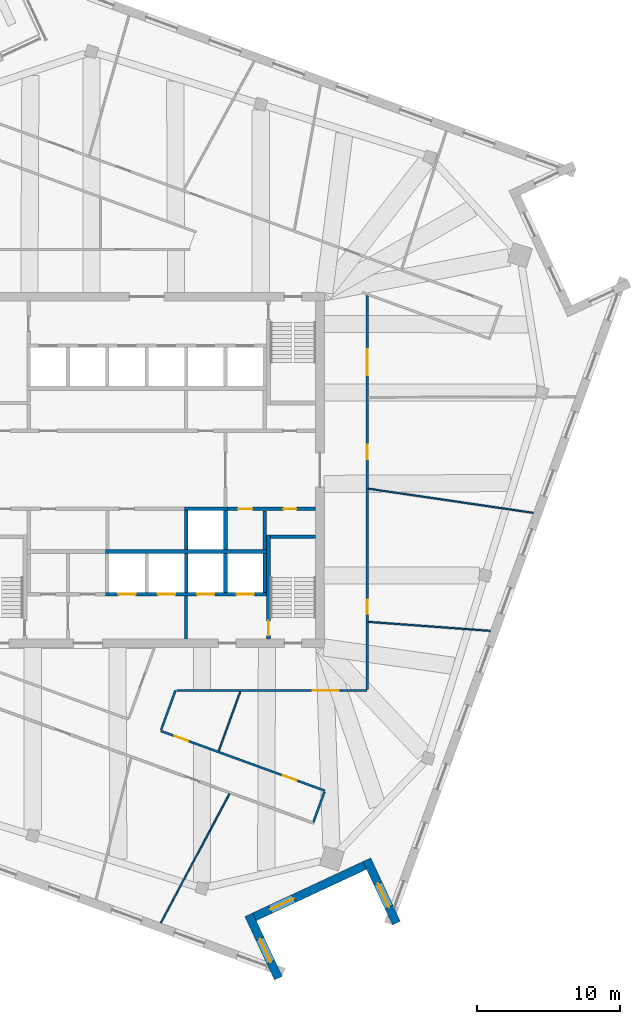
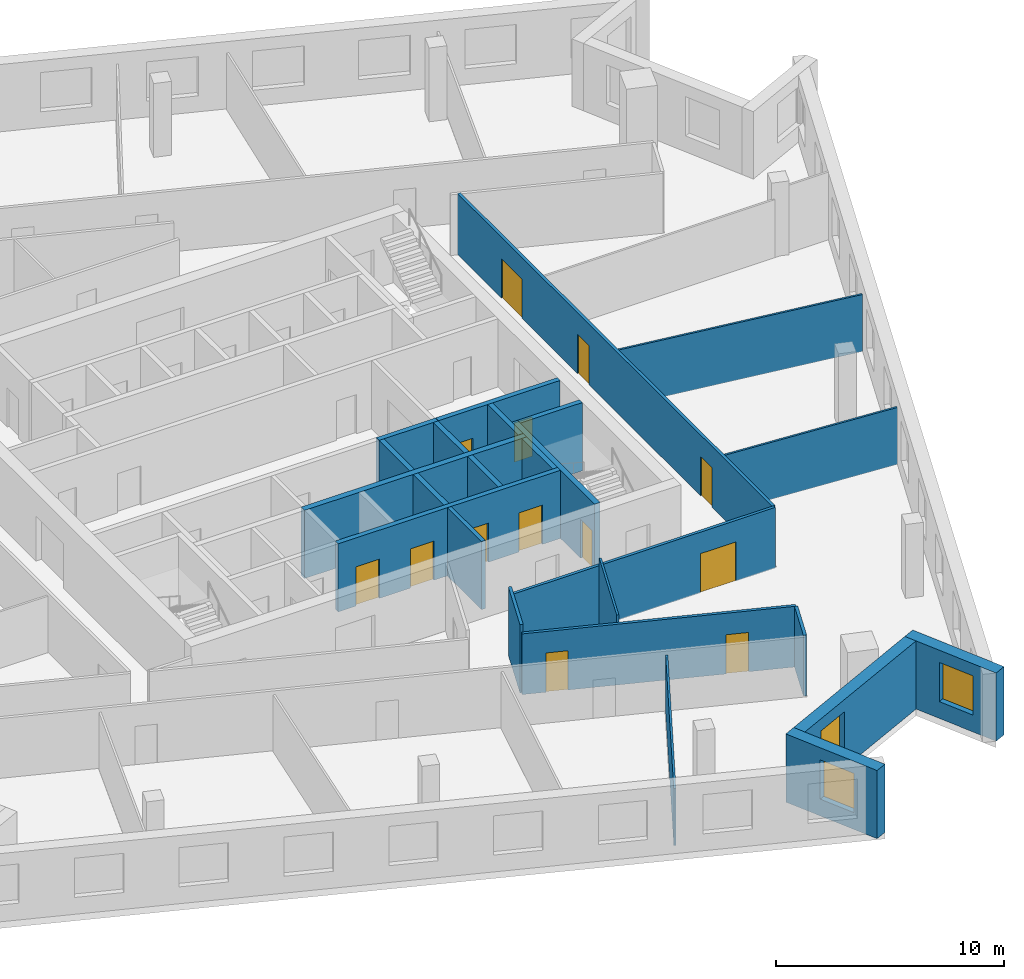
# One storey, part 7 of 13: 25 walls, 13 doors, 3 windows, 16 openings.
"""IFC4 building model written with IfcOpenShell, lengths in metres."""

from ifc_helpers import new_model, si_unit, direction, frame, frame_2d, origin, place, context, subcontext, project, spatial, rectangle, extrude, material, layer, layer_set, type_object, element, fill, save


model = new_model("IFC4")

# Units and contexts
model_context = context("Model", 3, precision=1e-05, world=origin(), true_north=direction((0.0, 1.0)))
body_context = subcontext(model_context, "Body", "Model", "MODEL_VIEW")
ifc_project = project(units=[si_unit("LENGTHUNIT", "METRE"), si_unit("AREAUNIT", "SQUARE_METRE"), si_unit("VOLUMEUNIT", "CUBIC_METRE"), si_unit("PLANEANGLEUNIT", "RADIAN"), si_unit("MASSUNIT", "GRAM", prefix="KILO")], contexts=[model_context])

# Site, building, storey
site_placement = place(None, origin())
site = spatial("IfcSite", under=ifc_project, at=site_placement, CompositionType="ELEMENT")
building_placement = place(site_placement, origin())
building = spatial("IfcBuilding", under=site, at=building_placement, Name="Dilmun Exchange Tower", CompositionType="ELEMENT")
storey_placement = place(building_placement, frame((0.0, 0.0, 312.5)))
storey = spatial("IfcBuildingStorey", under=building, at=storey_placement, Name="L74", CompositionType="ELEMENT", Elevation=312.5)

# Walls
ifc_material_1 = material(Name="Concrete C40/50", Category="concrete")
ifc_layer_1 = layer(ifc_material_1, 0.199951171875)
ifc_layer_set_1 = layer_set([ifc_layer_1], Name="Concrete C40/50")
wall_type_1 = type_object("IfcWallType", Name="Core partition wall 200", PredefinedType="PARTITIONING", material=ifc_layer_set_1)
wall_1_placement = place(storey_placement, frame((2.75, -11.794921875, 0.0), z_axis=(0.0, 0.0, 1.0), x_axis=(0.0, 1.0, 0.0)))
element("IfcWall", 1, at=wall_1_placement, inside=storey, type_object=wall_type_1, Name="L74 core partition wall 02", PredefinedType="PARTITIONING", context=body_context, shape_type="SweptSolid", body=[
    extrude(rectangle(XDim=2.989990234375, YDim=0.199951171875, at=frame_2d((1.4951171875, 0.0))), origin(), (0.0, 0.0, 1.0), 3.64990234375),
])
ifc_layer_2 = layer(ifc_material_1, 0.25)
ifc_layer_set_2 = layer_set([ifc_layer_2], Name="Concrete C40/50")
wall_type_2 = type_object("IfcWallType", Name="Core partition wall 250", PredefinedType="PARTITIONING", material=ifc_layer_set_2)
wall_2_placement = place(storey_placement, frame((8.25, -5.544921875, 0.0), z_axis=(0.0, 0.0, 1.0), x_axis=(0.0, 1.0, 0.0)))
element("IfcWall", 2, at=wall_2_placement, inside=storey, type_object=wall_type_2, Name="L74 core partition wall 09", PredefinedType="PARTITIONING", context=body_context, shape_type="SweptSolid", body=[
    extrude(rectangle(XDim=2.68994140625, YDim=0.25, at=frame_2d((1.344970703125, 0.0))), origin(), (0.0, 0.0, 1.0), 3.64990234375),
])

# Wall, openings, doors
wall_3_placement = place(storey_placement, frame((5.6298828125, -2.72509765625, 0.0), z_axis=(0.0, 0.0, 1.0), x_axis=(1.0, 0.0, 0.0)))
wall_3 = element("IfcWall", 3, at=wall_3_placement, inside=storey, type_object=wall_type_2, Name="L74 core partition wall 11", PredefinedType="PARTITIONING", context=body_context, shape_type="SweptSolid", body=[
    extrude(rectangle(XDim=6.1650390625, YDim=0.25, at=frame_2d((3.08251953125, 0.0))), origin(), (0.0, 0.0, 1.0), 3.64990234375),
])
opening_1_placement = place(wall_3_placement, frame((0.7451171875, 0.0, 0.0)))
opening_1 = element("IfcOpeningElement", 4, at=opening_1_placement, cuts=wall_3, Name="Opening CD4", PredefinedType="OPENING", context=body_context, shape_type="SweptSolid", body=[
    extrude(rectangle(XDim=1.0, YDim=2.10009765625, at=frame_2d((0.5, 1.050048828125))), frame((0.0, 0.135009765625, 0.0), z_axis=(0.0, -1.0, 0.0), x_axis=(1.0, 0.0, 0.0)), (0.0, 0.0, 1.0), 0.27001953125),
])
opening_2_placement = place(wall_3_placement, frame((3.919921875, 0.0, 0.0)))
opening_2 = element("IfcOpeningElement", 5, at=opening_2_placement, cuts=wall_3, Name="Opening CD6", PredefinedType="OPENING", context=body_context, shape_type="SweptSolid", body=[
    extrude(rectangle(XDim=0.89990234375, YDim=2.10009765625, at=frame_2d((0.449951171875, 1.050048828125))), frame((0.0, 0.135009765625, 0.0), z_axis=(0.0, -1.0, 0.0), x_axis=(1.0, 0.0, 0.0)), (0.0, 0.0, 1.0), 0.27001953125),
])
ifc_material_2 = material(Name="Fire-rated steel door set", Category="steel")
door_type_1 = type_object("IfcDoorType", Name="Core room door 1000x2100", OperationType="SINGLE_SWING_LEFT", PredefinedType="DOOR", material=ifc_material_2)
door_1_placement = place(opening_1_placement, origin())
door_1 = element("IfcDoor", 6, at=door_1_placement, inside=storey, type_object=door_type_1, Name="L74 door Cleaners' store", OperationType="SINGLE_SWING_LEFT", OverallHeight=2.10009765625, OverallWidth=1.0, PredefinedType="DOOR", context=body_context, shape_type="SweptSolid", body=[
    extrude(rectangle(XDim=1.0, YDim=2.10009765625, at=frame_2d((0.5, 1.050048828125))), frame((0.0, 0.02490234375, 0.0), z_axis=(0.0, -1.0, 0.0), x_axis=(1.0, 0.0, 0.0)), (0.0, 0.0, 1.0), 0.050048828125),
])
fill(opening_1, door_1)
door_type_2 = type_object("IfcDoorType", Name="Core room door 900x2100", OperationType="SINGLE_SWING_LEFT", PredefinedType="DOOR", material=ifc_material_2)
door_2_placement = place(opening_2_placement, origin())
door_2 = element("IfcDoor", 7, at=door_2_placement, inside=storey, type_object=door_type_2, Name="L74 door Comms riser", OperationType="SINGLE_SWING_LEFT", OverallHeight=2.10009765625, OverallWidth=0.89990234375, PredefinedType="DOOR", context=body_context, shape_type="SweptSolid", body=[
    extrude(rectangle(XDim=0.89990234375, YDim=2.10009765625, at=frame_2d((0.449951171875, 1.050048828125))), frame((0.0, 0.02490234375, 0.0), z_axis=(0.0, -1.0, 0.0), x_axis=(1.0, 0.0, 0.0)), (0.0, 0.0, 1.0), 0.050048828125),
])
fill(opening_2, door_2)

ifc_material_3 = material(Name="Corridor wall 150")
ifc_layer_3 = layer(ifc_material_3, 0.14990234375)
ifc_layer_set_3 = layer_set([ifc_layer_3], Name="Corridor wall 150")
wall_type_3 = type_object("IfcWallType", Name="Corridor wall 150", PredefinedType="PARTITIONING", material=ifc_layer_set_3)
wall_4_placement = place(storey_placement, frame((0.97802734375, -18.22998046875, 0.0), z_axis=(0.0, 0.0, 1.0), x_axis=(0.939684094149, -0.34204356916, 0.0)))
wall_4 = element("IfcWall", 8, at=wall_4_placement, inside=storey, type_object=wall_type_3, Name="Corridor wall", PredefinedType="PARTITIONING", context=body_context, shape_type="SweptSolid", body=[
    extrude(rectangle(XDim=12.197509765625, YDim=0.14990234375, at=frame_2d((6.0986328125, 0.0))), origin(), (0.0, 0.0, 1.0), 3.25),
])
opening_3_placement = place(wall_4_placement, frame((1.05029296875, 0.0, 0.0)))
opening_3 = element("IfcOpeningElement", 9, at=opening_3_placement, cuts=wall_4, Name="Opening TF72-D13", PredefinedType="OPENING", context=body_context, shape_type="SweptSolid", body=[
    extrude(rectangle(XDim=1.0, YDim=2.10009765625, at=frame_2d((0.5, 1.050048828125))), frame((0.0, 0.0849609375, 0.0), z_axis=(0.0, -1.0, 0.0), x_axis=(1.0, 0.0, 0.0)), (0.0, 0.0, 1.0), 0.169921875),
])
opening_4_placement = place(wall_4_placement, frame((9.08251953125, 0.0, 0.0)))
opening_4 = element("IfcOpeningElement", 10, at=opening_4_placement, cuts=wall_4, Name="Opening TF72-D16", PredefinedType="OPENING", context=body_context, shape_type="SweptSolid", body=[
    extrude(rectangle(XDim=1.0, YDim=2.10009765625, at=frame_2d((0.5, 1.050048828125))), frame((0.0, 0.0849609375, 0.0), z_axis=(0.0, -1.0, 0.0), x_axis=(1.0, 0.0, 0.0)), (0.0, 0.0, 1.0), 0.169921875),
])
ifc_material_4 = material(Name="Fire door 1000 x 2100")
door_type_3 = type_object("IfcDoorType", Name="Fire door 1000 x 2100", OperationType="NOTDEFINED", PredefinedType="DOOR", material=ifc_material_4)
door_3_placement = place(opening_3_placement, origin())
door_3 = element("IfcDoor", 11, at=door_3_placement, inside=storey, type_object=door_type_3, Name="Door TF72-D13", OperationType="SINGLE_SWING_LEFT", OverallHeight=2.10009765625, OverallWidth=1.0, PredefinedType="DOOR", context=body_context, shape_type="SweptSolid", body=[
    extrude(rectangle(XDim=1.0, YDim=2.10009765625, at=frame_2d((0.5, 1.050048828125))), frame((0.0, 0.02490234375, 0.0), z_axis=(0.0, -1.0, 0.0), x_axis=(1.0, 0.0, 0.0)), (0.0, 0.0, 1.0), 0.050048828125),
])
fill(opening_3, door_3)
door_4_placement = place(opening_4_placement, origin())
door_4 = element("IfcDoor", 12, at=door_4_placement, inside=storey, type_object=door_type_3, Name="Door TF72-D16", OperationType="SINGLE_SWING_RIGHT", OverallHeight=2.10009765625, OverallWidth=1.0, PredefinedType="DOOR", context=body_context, shape_type="SweptSolid", body=[
    extrude(rectangle(XDim=1.0, YDim=2.10009765625, at=frame_2d((0.5, 1.050048828125))), frame((0.0, 0.02490234375, 0.0), z_axis=(0.0, -1.0, 0.0), x_axis=(1.0, 0.0, 0.0)), (0.0, 0.0, 1.0), 0.050048828125),
])
fill(opening_4, door_4)

# Wall
wall_5_placement = place(storey_placement, frame((1.003662109375, -18.159423828125, 0.0), z_axis=(0.0, 0.0, 1.0), x_axis=(0.342023405877, 0.939691433308, 0.0)))
element("IfcWall", 13, at=wall_5_placement, inside=storey, type_object=wall_type_3, Name="Corridor wall", PredefinedType="PARTITIONING", context=body_context, shape_type="SweptSolid", body=[
    extrude(rectangle(XDim=2.9365234375, YDim=0.14990234375, at=frame_2d((1.46826171875, 0.0))), origin(), (0.0, 0.0, 1.0), 3.64990234375),
])

# Wall, opening, door
wall_6_placement = place(storey_placement, frame((2.114990234375, -15.39990234375, 0.0), z_axis=(0.0, 0.0, 1.0), x_axis=(1.0, 0.0, 0.0)))
wall_6 = element("IfcWall", 14, at=wall_6_placement, inside=storey, type_object=wall_type_3, Name="Corridor wall", PredefinedType="PARTITIONING", context=body_context, shape_type="SweptSolid", body=[
    extrude(rectangle(XDim=13.284912109375, YDim=0.14990234375, at=frame_2d((6.642578125, 0.0))), origin(), (0.0, 0.0, 1.0), 3.25),
])
opening_5_placement = place(wall_6_placement, frame((9.485595703125, 0.0, 0.0)))
opening_5 = element("IfcOpeningElement", 15, at=opening_5_placement, cuts=wall_6, Name="Opening TF72-D15", PredefinedType="OPENING", context=body_context, shape_type="SweptSolid", body=[
    extrude(rectangle(XDim=1.800048828125, YDim=2.10009765625, at=frame_2d((0.89990234375, 1.050048828125))), frame((0.0, 0.0849609375, 0.0), z_axis=(0.0, -1.0, 0.0), x_axis=(1.0, 0.0, 0.0)), (0.0, 0.0, 1.0), 0.169921875),
])
ifc_material_5 = material(Name="Fire door pair 1800 x 2100")
door_type_4 = type_object("IfcDoorType", Name="Fire door pair 1800 x 2100", OperationType="NOTDEFINED", PredefinedType="DOOR", material=ifc_material_5)
door_5_placement = place(opening_5_placement, frame((1.800048828125, 0.0, 0.0), z_axis=(0.0, 0.0, 1.0), x_axis=(-1.0, 0.0, 0.0)))
door_5 = element("IfcDoor", 16, at=door_5_placement, inside=storey, type_object=door_type_4, Name="Door TF72-D15", OperationType="DOUBLE_DOOR_SINGLE_SWING", OverallHeight=2.10009765625, OverallWidth=1.800048828125, PredefinedType="DOOR", context=body_context, shape_type="SweptSolid", body=[
    extrude(rectangle(XDim=1.800048828125, YDim=2.10009765625, at=frame_2d((0.89990234375, 1.050048828125))), frame((0.0, 0.02490234375, 0.0), z_axis=(0.0, -1.0, 0.0), x_axis=(1.0, 0.0, 0.0)), (0.0, 0.0, 1.0), 0.050048828125),
])
fill(opening_5, door_5)

# Wall
wall_7_placement = place(storey_placement, frame((11.644775390625, -24.58642578125, 0.0), z_axis=(0.0, 0.0, 1.0), x_axis=(0.342056723843, 0.93967930576, 0.0)))
element("IfcWall", 17, at=wall_7_placement, inside=storey, type_object=wall_type_3, Name="Corridor wall", PredefinedType="PARTITIONING", context=body_context, shape_type="SweptSolid", body=[
    extrude(rectangle(XDim=2.249755859375, YDim=0.14990234375, at=frame_2d((1.125, 0.0))), origin(), (0.0, 0.0, 1.0), 3.25),
])

# Wall, openings, doors
wall_8_placement = place(storey_placement, frame((15.39990234375, -15.324951171875, 0.0), z_axis=(0.0, 0.0, 1.0), x_axis=(0.0, 1.0, 0.0)))
wall_8 = element("IfcWall", 18, at=wall_8_placement, inside=storey, type_object=wall_type_3, Name="Corridor wall", PredefinedType="PARTITIONING", context=body_context, shape_type="SweptSolid", body=[
    extrude(rectangle(XDim=27.593017578125, YDim=0.14990234375, at=frame_2d((13.79638671875, 0.0))), origin(), (0.0, 0.0, 1.0), 3.25),
])
opening_6_placement = place(wall_8_placement, frame((5.266845703125, 0.0, 0.0)))
opening_6 = element("IfcOpeningElement", 19, at=opening_6_placement, cuts=wall_8, Name="Opening TF72-D18", PredefinedType="OPENING", context=body_context, shape_type="SweptSolid", body=[
    extrude(rectangle(XDim=1.0, YDim=2.10009765625, at=frame_2d((0.5, 1.050048828125))), frame((0.0, 0.0849609375, 0.0), z_axis=(0.0, -1.0, 0.0), x_axis=(1.0, 0.0, 0.0)), (0.0, 0.0, 1.0), 0.169921875),
])
opening_7_placement = place(wall_8_placement, frame((16.072021484375, 0.0, 0.0)))
opening_7 = element("IfcOpeningElement", 20, at=opening_7_placement, cuts=wall_8, Name="Opening TF72-D19", PredefinedType="OPENING", context=body_context, shape_type="SweptSolid", body=[
    extrude(rectangle(XDim=1.0, YDim=2.10009765625, at=frame_2d((0.5, 1.050048828125))), frame((0.0, 0.0849609375, 0.0), z_axis=(0.0, -1.0, 0.0), x_axis=(1.0, 0.0, 0.0)), (0.0, 0.0, 1.0), 0.169921875),
])
opening_8_placement = place(wall_8_placement, frame((21.94384765625, 0.0, 0.0)))
opening_8 = element("IfcOpeningElement", 21, at=opening_8_placement, cuts=wall_8, Name="Opening TF72-D20", PredefinedType="OPENING", context=body_context, shape_type="SweptSolid", body=[
    extrude(rectangle(XDim=1.800048828125, YDim=2.10009765625, at=frame_2d((0.89990234375, 1.050048828125))), frame((0.0, 0.0849609375, 0.0), z_axis=(0.0, -1.0, 0.0), x_axis=(1.0, 0.0, 0.0)), (0.0, 0.0, 1.0), 0.169921875),
])
door_6_placement = place(opening_6_placement, frame((1.0, 0.0, 0.0), z_axis=(0.0, 0.0, 1.0), x_axis=(-1.0, 0.0, 0.0)))
door_6 = element("IfcDoor", 22, at=door_6_placement, inside=storey, type_object=door_type_3, Name="Door TF72-D18", OperationType="SINGLE_SWING_RIGHT", OverallHeight=2.10009765625, OverallWidth=1.0, PredefinedType="DOOR", context=body_context, shape_type="SweptSolid", body=[
    extrude(rectangle(XDim=1.0, YDim=2.10009765625, at=frame_2d((0.5, 1.050048828125))), frame((0.0, 0.02490234375, 0.0), z_axis=(0.0, -1.0, 0.0), x_axis=(1.0, 0.0, 0.0)), (0.0, 0.0, 1.0), 0.050048828125),
])
fill(opening_6, door_6)
door_7_placement = place(opening_7_placement, frame((1.0, 0.0, 0.0), z_axis=(0.0, 0.0, 1.0), x_axis=(-1.0, 0.0, 0.0)))
door_7 = element("IfcDoor", 23, at=door_7_placement, inside=storey, type_object=door_type_3, Name="Door TF72-D19", OperationType="SINGLE_SWING_RIGHT", OverallHeight=2.10009765625, OverallWidth=1.0, PredefinedType="DOOR", context=body_context, shape_type="SweptSolid", body=[
    extrude(rectangle(XDim=1.0, YDim=2.10009765625, at=frame_2d((0.5, 1.050048828125))), frame((0.0, 0.02490234375, 0.0), z_axis=(0.0, -1.0, 0.0), x_axis=(1.0, 0.0, 0.0)), (0.0, 0.0, 1.0), 0.050048828125),
])
fill(opening_7, door_7)
door_8_placement = place(opening_8_placement, frame((1.800048828125, 0.0, 0.0), z_axis=(0.0, 0.0, 1.0), x_axis=(-1.0, 0.0, 0.0)))
door_8 = element("IfcDoor", 24, at=door_8_placement, inside=storey, type_object=door_type_4, Name="Door TF72-D20", OperationType="DOUBLE_DOOR_SINGLE_SWING", OverallHeight=2.10009765625, OverallWidth=1.800048828125, PredefinedType="DOOR", context=body_context, shape_type="SweptSolid", body=[
    extrude(rectangle(XDim=1.800048828125, YDim=2.10009765625, at=frame_2d((0.89990234375, 1.050048828125))), frame((0.0, 0.02490234375, 0.0), z_axis=(0.0, -1.0, 0.0), x_axis=(1.0, 0.0, 0.0)), (0.0, 0.0, 1.0), 0.050048828125),
])
fill(opening_8, door_8)

# Walls
ifc_layer_4 = layer(ifc_material_1, 0.300048828125)
ifc_layer_set_4 = layer_set([ifc_layer_4], Name="Concrete C40/50")
wall_type_4 = type_object("IfcWallType", Name="Lift shaft shared wall 300", PredefinedType="SOLIDWALL", material=ifc_layer_set_4)
wall_9_placement = place(storey_placement, frame((-2.875, -5.699951171875, 0.0), z_axis=(0.0, 0.0, 1.0), x_axis=(1.0, 0.0, 0.0)))
element("IfcWall", 25, at=wall_9_placement, inside=storey, type_object=wall_type_4, Name="L74 lift shaft rear wall S", PredefinedType="SOLIDWALL", context=body_context, shape_type="SweptSolid", body=[
    extrude(rectangle(XDim=11.25, YDim=0.300048828125, at=frame_2d((5.625, 0.0))), origin(), (0.0, 0.0, 1.0), 3.64990234375),
])
ifc_layer_5 = layer(ifc_material_1, 0.25)
ifc_layer_set_5 = layer_set([ifc_layer_5], Name="Concrete C40/50")
wall_type_5 = type_object("IfcWallType", Name="Lift shaft wall 250", PredefinedType="SOLIDWALL", material=ifc_layer_set_5)
wall_10_placement = place(storey_placement, frame((2.625, -2.72509765625, 0.0), z_axis=(0.0, 0.0, 1.0), x_axis=(1.0, 0.0, 0.0)))
element("IfcWall", 26, at=wall_10_placement, inside=storey, type_object=wall_type_5, Name="L74 lift shaft front wall S1", PredefinedType="SOLIDWALL", context=body_context, shape_type="SweptSolid", body=[
    extrude(rectangle(XDim=3.0, YDim=0.25, at=frame_2d((1.5, 0.0))), origin(), (0.0, 0.0, 1.0), 3.64990234375),
])
for number, where, z_axis, x_axis, name in (
    (27, (2.75, -5.550048828125, 0.0), (0.0, 0.0, 1.0), (0.0, 1.0, 0.0), "L74 lift shaft divider S14"),
    (28, (5.5, -5.550048828125, 0.0), (0.0, 0.0, 1.0), (0.0, 1.0, 0.0), "L74 lift shaft divider S15"),
):
    element("IfcWall", number, at=place(storey_placement, frame(where, z_axis=z_axis, x_axis=x_axis)), inside=storey, type_object=wall_type_5, Name=name, PredefinedType="SOLIDWALL", context=body_context, shape_type="SweptSolid", body=[
        extrude(rectangle(XDim=2.699951171875, YDim=0.25, at=frame_2d((1.35009765625, 0.0))), origin(), (0.0, 0.0, 1.0), 3.64990234375),
    ])

# Wall, openings, doors
wall_11_placement = place(storey_placement, frame((-2.875, -8.675048828125, 0.0), z_axis=(0.0, 0.0, 1.0), x_axis=(1.0, 0.0, 0.0)))
wall_11 = element("IfcWall", 29, at=wall_11_placement, inside=storey, type_object=wall_type_5, Name="L74 lift shaft front wall S2", PredefinedType="SOLIDWALL", context=body_context, shape_type="SweptSolid", body=[
    extrude(rectangle(XDim=11.25, YDim=0.25, at=frame_2d((5.625, 0.0))), origin(), (0.0, 0.0, 1.0), 3.64990234375),
])
opening_9_placement = place(wall_11_placement, frame((0.89990234375, 0.0, 0.0)))
opening_9 = element("IfcOpeningElement", 30, at=opening_9_placement, cuts=wall_11, Name="Opening LD", PredefinedType="OPENING", context=body_context, shape_type="SweptSolid", body=[
    extrude(rectangle(XDim=1.199951171875, YDim=2.10009765625, at=frame_2d((0.60009765625, 1.050048828125))), frame((0.0, 0.135009765625, 0.0), z_axis=(0.0, -1.0, 0.0), x_axis=(1.0, 0.0, 0.0)), (0.0, 0.0, 1.0), 0.27001953125),
])
opening_10_placement = place(wall_11_placement, frame((3.64990234375, 0.0, 0.0)))
opening_10 = element("IfcOpeningElement", 31, at=opening_10_placement, cuts=wall_11, Name="Opening LD", PredefinedType="OPENING", context=body_context, shape_type="SweptSolid", body=[
    extrude(rectangle(XDim=1.199951171875, YDim=2.10009765625, at=frame_2d((0.60009765625, 1.050048828125))), frame((0.0, 0.135009765625, 0.0), z_axis=(0.0, -1.0, 0.0), x_axis=(1.0, 0.0, 0.0)), (0.0, 0.0, 1.0), 0.27001953125),
])
opening_11_placement = place(wall_11_placement, frame((6.39990234375, 0.0, 0.0)))
opening_11 = element("IfcOpeningElement", 32, at=opening_11_placement, cuts=wall_11, Name="Opening LD", PredefinedType="OPENING", context=body_context, shape_type="SweptSolid", body=[
    extrude(rectangle(XDim=1.199951171875, YDim=2.10009765625, at=frame_2d((0.60009765625, 1.050048828125))), frame((0.0, 0.135009765625, 0.0), z_axis=(0.0, -1.0, 0.0), x_axis=(1.0, 0.0, 0.0)), (0.0, 0.0, 1.0), 0.27001953125),
])
opening_12_placement = place(wall_11_placement, frame((9.14990234375, 0.0, 0.0)))
opening_12 = element("IfcOpeningElement", 33, at=opening_12_placement, cuts=wall_11, Name="Opening LD", PredefinedType="OPENING", context=body_context, shape_type="SweptSolid", body=[
    extrude(rectangle(XDim=1.199951171875, YDim=2.10009765625, at=frame_2d((0.60009765625, 1.050048828125))), frame((0.0, 0.135009765625, 0.0), z_axis=(0.0, -1.0, 0.0), x_axis=(1.0, 0.0, 0.0)), (0.0, 0.0, 1.0), 0.27001953125),
])
door_type_5 = type_object("IfcDoorType", Name="Lift landing door 1200x2100", OperationType="DOUBLE_DOOR_SLIDING", PredefinedType="DOOR", material=ifc_material_2)
door_9_placement = place(opening_9_placement, origin())
door_9 = element("IfcDoor", 34, at=door_9_placement, inside=storey, type_object=door_type_5, Name="L74 landing door SV1", OperationType="DOUBLE_DOOR_SLIDING", OverallHeight=2.10009765625, OverallWidth=1.199951171875, PredefinedType="DOOR", context=body_context, shape_type="SweptSolid", body=[
    extrude(rectangle(XDim=1.199951171875, YDim=2.10009765625, at=frame_2d((0.60009765625, 1.050048828125))), frame((0.0, 0.02490234375, 0.0), z_axis=(0.0, -1.0, 0.0), x_axis=(1.0, 0.0, 0.0)), (0.0, 0.0, 1.0), 0.050048828125),
])
fill(opening_9, door_9)
door_10_placement = place(opening_10_placement, origin())
door_10 = element("IfcDoor", 35, at=door_10_placement, inside=storey, type_object=door_type_5, Name="L74 landing door SV2", OperationType="DOUBLE_DOOR_SLIDING", OverallHeight=2.10009765625, OverallWidth=1.199951171875, PredefinedType="DOOR", context=body_context, shape_type="SweptSolid", body=[
    extrude(rectangle(XDim=1.199951171875, YDim=2.10009765625, at=frame_2d((0.60009765625, 1.050048828125))), frame((0.0, 0.02490234375, 0.0), z_axis=(0.0, -1.0, 0.0), x_axis=(1.0, 0.0, 0.0)), (0.0, 0.0, 1.0), 0.050048828125),
])
fill(opening_10, door_10)
door_11_placement = place(opening_11_placement, origin())
door_11 = element("IfcDoor", 36, at=door_11_placement, inside=storey, type_object=door_type_5, Name="L74 landing door FF1", OperationType="DOUBLE_DOOR_SLIDING", OverallHeight=2.10009765625, OverallWidth=1.199951171875, PredefinedType="DOOR", context=body_context, shape_type="SweptSolid", body=[
    extrude(rectangle(XDim=1.199951171875, YDim=2.10009765625, at=frame_2d((0.60009765625, 1.050048828125))), frame((0.0, 0.02490234375, 0.0), z_axis=(0.0, -1.0, 0.0), x_axis=(1.0, 0.0, 0.0)), (0.0, 0.0, 1.0), 0.050048828125),
])
fill(opening_11, door_11)
door_12_placement = place(opening_12_placement, origin())
door_12 = element("IfcDoor", 37, at=door_12_placement, inside=storey, type_object=door_type_5, Name="L74 landing door FF2", OperationType="DOUBLE_DOOR_SLIDING", OverallHeight=2.10009765625, OverallWidth=1.199951171875, PredefinedType="DOOR", context=body_context, shape_type="SweptSolid", body=[
    extrude(rectangle(XDim=1.199951171875, YDim=2.10009765625, at=frame_2d((0.60009765625, 1.050048828125))), frame((0.0, 0.02490234375, 0.0), z_axis=(0.0, -1.0, 0.0), x_axis=(1.0, 0.0, 0.0)), (0.0, 0.0, 1.0), 0.050048828125),
])
fill(opening_12, door_12)

# Walls
for number, where, z_axis, x_axis, name in (
    (38, (2.75, -8.550048828125, 0.0), (0.0, 0.0, 1.0), (0.0, 1.0, 0.0), "L74 lift shaft divider S24"),
    (39, (5.5, -8.550048828125, 0.0), (0.0, 0.0, 1.0), (0.0, 1.0, 0.0), "L74 lift shaft divider S25"),
    (40, (8.25, -8.550048828125, 0.0), (0.0, 0.0, 1.0), (0.0, 1.0, 0.0), "L74 lift shaft divider S26"),
):
    element("IfcWall", number, at=place(storey_placement, frame(where, z_axis=z_axis, x_axis=x_axis)), inside=storey, type_object=wall_type_5, Name=name, PredefinedType="SOLIDWALL", context=body_context, shape_type="SweptSolid", body=[
        extrude(rectangle(XDim=2.699951171875, YDim=0.25, at=frame_2d((1.35009765625, 0.0))), origin(), (0.0, 0.0, 1.0), 3.64990234375),
    ])
ifc_material_6 = material(Name="Partition 100")
ifc_layer_6 = layer(ifc_material_6, 0.10009765625)
ifc_layer_set_6 = layer_set([ifc_layer_6], Name="Partition 100")
wall_type_6 = type_object("IfcWallType", Name="Partition 100", PredefinedType="PARTITIONING", material=ifc_layer_set_6)
wall_12_placement = place(storey_placement, frame((0.981689453125, -31.641845703125, 0.0), z_axis=(0.0, 0.0, 1.0), x_axis=(0.469538881217, 0.882911795722, 0.0)))
element("IfcWall", 41, at=wall_12_placement, inside=storey, type_object=wall_type_6, Name="Partition", PredefinedType="PARTITIONING", context=body_context, shape_type="SweptSolid", body=[
    extrude(rectangle(XDim=10.21923828125, YDim=0.10009765625, at=frame_2d((5.109619140625, 0.0))), origin(), (0.0, 0.0, 1.0), 3.050048828125),
])
wall_13_placement = place(storey_placement, frame((5.027587890625, -19.62353515625, 0.0), z_axis=(0.0, 0.0, 1.0), x_axis=(0.342064062603, 0.939676634314, 0.0)))
element("IfcWall", 42, at=wall_13_placement, inside=storey, type_object=wall_type_6, Name="Partition", PredefinedType="PARTITIONING", context=body_context, shape_type="SweptSolid", body=[
    extrude(rectangle(XDim=4.396484375, YDim=0.10009765625, at=frame_2d((2.1982421875, 0.0))), origin(), (0.0, 0.0, 1.0), 3.64990234375),
])
wall_14_placement = place(storey_placement, frame((15.478759765625, -10.61083984375, 0.0), z_axis=(0.0, 0.0, 1.0), x_axis=(0.997294736008, -0.073506527135, 0.0)))
element("IfcWall", 43, at=wall_14_placement, inside=storey, type_object=wall_type_6, Name="Partition", PredefinedType="PARTITIONING", context=body_context, shape_type="SweptSolid", body=[
    extrude(rectangle(XDim=8.5458984375, YDim=0.10009765625, at=frame_2d((4.27294921875, 0.0))), origin(), (0.0, 0.0, 1.0), 3.050048828125),
])
wall_15_placement = place(storey_placement, frame((15.482421875, -1.30908203125, 0.0), z_axis=(0.0, 0.0, 1.0), x_axis=(0.989423142791, -0.145058072884, 0.0)))
element("IfcWall", 44, at=wall_15_placement, inside=storey, type_object=wall_type_6, Name="Partition", PredefinedType="PARTITIONING", context=body_context, shape_type="SweptSolid", body=[
    extrude(rectangle(XDim=11.6416015625, YDim=0.10009765625, at=frame_2d((5.82080078125, 0.0))), origin(), (0.0, 0.0, 1.0), 3.050048828125),
])

# Wall, opening, window
ifc_material_7 = material(Name="Precast concrete C50/60", Category="concrete")
ifc_layer_7 = layer(ifc_material_7, 0.60009765625)
ifc_layer_set_7 = layer_set([ifc_layer_7], Name="Precast concrete C50/60")
wall_type_7 = type_object("IfcWallType", Name="Precast stone-clad wall 600", PredefinedType="STANDARD", material=ifc_layer_set_7)
wall_16_placement = place(storey_placement, frame((9.19140625, -35.496337890625, 0.0), z_axis=(0.0, 0.0, 1.0), x_axis=(-0.422620080618, 0.906306938878, 0.0)))
wall_16 = element("IfcWall", 45, at=wall_16_placement, inside=storey, type_object=wall_type_7, Name="Facade wall L74-08", PredefinedType="STANDARD", context=body_context, shape_type="SweptSolid", body=[
    extrude(rectangle(XDim=4.885498046875, YDim=0.60009765625, at=frame_2d((2.44287109375, 0.0))), origin(), (0.0, 0.0, 1.0), 3.64990234375),
])
opening_13_placement = place(wall_16_placement, frame((1.242919921875, 0.0, 0.89990234375)))
opening_13 = element("IfcOpeningElement", 46, at=opening_13_placement, cuts=wall_16, Name="Opening W180-210", PredefinedType="OPENING", context=body_context, shape_type="SweptSolid", body=[
    extrude(rectangle(XDim=1.800048828125, YDim=2.10009765625, at=frame_2d((0.89990234375, 1.050048828125))), frame((0.0, 0.31005859375, 0.0), z_axis=(0.0, -1.0, 0.0), x_axis=(1.0, 0.0, 0.0)), (0.0, 0.0, 1.0), 0.6201171875),
])
ifc_material_8 = material(Name="Clear low-emissivity glass in aluminium frame", Category="aluminium")
window_type = type_object("IfcWindowType", Name="Punched window 1800 x 2100", PartitioningType="DOUBLE_PANEL_VERTICAL", PredefinedType="WINDOW", material=ifc_material_8)
window_1_placement = place(opening_13_placement, origin())
window_1 = element("IfcWindow", 47, at=window_1_placement, inside=storey, type_object=window_type, Name="Window 9.1", OverallHeight=2.10009765625, OverallWidth=1.800048828125, PartitioningType="SINGLE_PANEL", PredefinedType="WINDOW", context=body_context, shape_type="SweptSolid", body=[
    extrude(rectangle(XDim=1.800048828125, YDim=2.10009765625, at=frame_2d((0.89990234375, 1.050048828125))), frame((0.0, 0.030029296875, 0.0), z_axis=(0.0, -1.0, 0.0), x_axis=(1.0, 0.0, 0.0)), (0.0, 0.0, 1.0), 0.06005859375),
])
fill(opening_13, window_1)

wall_17_placement = place(storey_placement, frame((7.525146484375, -31.213623046875, 0.0), z_axis=(0.0, 0.0, 1.0), x_axis=(0.906317378365, 0.42259769246, 0.0)))
wall_17 = element("IfcWall", 48, at=wall_17_placement, inside=storey, type_object=wall_type_7, Name="Facade wall L74-09", PredefinedType="STANDARD", context=body_context, shape_type="SweptSolid", body=[
    extrude(rectangle(XDim=8.5, YDim=0.60009765625, at=frame_2d((4.25, 0.0))), origin(), (0.0, 0.0, 1.0), 3.64990234375),
])
opening_14_placement = place(wall_17_placement, frame((1.22509765625, 0.0, 0.89990234375)))
opening_14 = element("IfcOpeningElement", 49, at=opening_14_placement, cuts=wall_17, Name="Opening W180-210", PredefinedType="OPENING", context=body_context, shape_type="SweptSolid", body=[
    extrude(rectangle(XDim=1.800048828125, YDim=2.10009765625, at=frame_2d((0.89990234375, 1.050048828125))), frame((0.0, 0.31005859375, 0.0), z_axis=(0.0, -1.0, 0.0), x_axis=(1.0, 0.0, 0.0)), (0.0, 0.0, 1.0), 0.6201171875),
])
window_2_placement = place(opening_14_placement, origin())
window_2 = element("IfcWindow", 50, at=window_2_placement, inside=storey, type_object=window_type, Name="Window 10.1", OverallHeight=2.10009765625, OverallWidth=1.800048828125, PartitioningType="SINGLE_PANEL", PredefinedType="WINDOW", context=body_context, shape_type="SweptSolid", body=[
    extrude(rectangle(XDim=1.800048828125, YDim=2.10009765625, at=frame_2d((0.89990234375, 1.050048828125))), frame((0.0, 0.030029296875, 0.0), z_axis=(0.0, -1.0, 0.0), x_axis=(1.0, 0.0, 0.0)), (0.0, 0.0, 1.0), 0.06005859375),
])
fill(opening_14, window_2)

wall_18_placement = place(storey_placement, frame((15.3740234375, -27.222900390625, 0.0), z_axis=(0.0, 0.0, 1.0), x_axis=(0.422620080618, -0.906306938878, 0.0)))
wall_18 = element("IfcWall", 51, at=wall_18_placement, inside=storey, type_object=wall_type_7, Name="Facade wall L74-10", PredefinedType="STANDARD", context=body_context, shape_type="SweptSolid", body=[
    extrude(rectangle(XDim=4.885498046875, YDim=0.60009765625, at=frame_2d((2.44287109375, 0.0))), origin(), (0.0, 0.0, 1.0), 3.64990234375),
])
opening_15_placement = place(wall_18_placement, frame((1.8427734375, 0.0, 0.89990234375)))
opening_15 = element("IfcOpeningElement", 52, at=opening_15_placement, cuts=wall_18, Name="Opening W180-210", PredefinedType="OPENING", context=body_context, shape_type="SweptSolid", body=[
    extrude(rectangle(XDim=1.800048828125, YDim=2.10009765625, at=frame_2d((0.89990234375, 1.050048828125))), frame((0.0, 0.31005859375, 0.0), z_axis=(0.0, -1.0, 0.0), x_axis=(1.0, 0.0, 0.0)), (0.0, 0.0, 1.0), 0.6201171875),
])
window_3_placement = place(opening_15_placement, origin())
window_3 = element("IfcWindow", 53, at=window_3_placement, inside=storey, type_object=window_type, Name="Window 11.1", OverallHeight=2.10009765625, OverallWidth=1.800048828125, PartitioningType="SINGLE_PANEL", PredefinedType="WINDOW", context=body_context, shape_type="SweptSolid", body=[
    extrude(rectangle(XDim=1.800048828125, YDim=2.10009765625, at=frame_2d((0.89990234375, 1.050048828125))), frame((0.0, 0.030029296875, 0.0), z_axis=(0.0, -1.0, 0.0), x_axis=(1.0, 0.0, 0.0)), (0.0, 0.0, 1.0), 0.06005859375),
])
fill(opening_15, window_3)

# Wall
ifc_layer_8 = layer(ifc_material_1, 0.25)
ifc_layer_set_8 = layer_set([ifc_layer_8], Name="Concrete C40/50")
wall_type_8 = type_object("IfcWallType", Name="Stair end wall 250", PredefinedType="SOLIDWALL", material=ifc_layer_set_8)
wall_19_placement = place(storey_placement, frame((8.64990234375, -4.675048828125, 0.0), z_axis=(0.0, 0.0, 1.0), x_axis=(1.0, 0.0, 0.0)))
element("IfcWall", 54, at=wall_19_placement, inside=storey, type_object=wall_type_8, Name="L74 ST3 far wall", PredefinedType="SOLIDWALL", context=body_context, shape_type="SweptSolid", body=[
    extrude(rectangle(XDim=3.150146484375, YDim=0.25, at=frame_2d((1.5751953125, 0.0))), origin(), (0.0, 0.0, 1.0), 3.64990234375),
])

# Wall, opening, door
ifc_layer_9 = layer(ifc_material_1, 0.27490234375)
ifc_layer_set_9 = layer_set([ifc_layer_9], Name="Concrete C40/50")
wall_type_9 = type_object("IfcWallType", Name="Stair wall 275", PredefinedType="SOLIDWALL", material=ifc_layer_set_9)
wall_20_placement = place(storey_placement, frame((8.512451171875, -4.550048828125, 0.0), z_axis=(0.0, 0.0, 1.0), x_axis=(0.0, -1.0, 0.0)))
wall_20 = element("IfcWall", 55, at=wall_20_placement, inside=storey, type_object=wall_type_9, Name="L74 ST3 wall to lift block", PredefinedType="SOLIDWALL", context=body_context, shape_type="SweptSolid", body=[
    extrude(rectangle(XDim=7.25, YDim=0.27490234375, at=frame_2d((3.625, 0.0))), origin(), (0.0, 0.0, 1.0), 3.64990234375),
])
opening_16_placement = place(wall_20_placement, frame((6.0, 0.0, 0.0)))
opening_16 = element("IfcOpeningElement", 56, at=opening_16_placement, cuts=wall_20, Name="Opening CD4", PredefinedType="OPENING", context=body_context, shape_type="SweptSolid", body=[
    extrude(rectangle(XDim=1.0, YDim=2.10009765625, at=frame_2d((0.5, 1.050048828125))), frame((0.0, 0.1474609375, 0.0), z_axis=(0.0, -1.0, 0.0), x_axis=(1.0, 0.0, 0.0)), (0.0, 0.0, 1.0), 0.294921875),
])
door_13_placement = place(opening_16_placement, origin())
door_13 = element("IfcDoor", 57, at=door_13_placement, inside=storey, type_object=door_type_1, Name="L74 door ST3 from lobby", OperationType="SINGLE_SWING_LEFT", OverallHeight=2.10009765625, OverallWidth=1.0, PredefinedType="DOOR", context=body_context, shape_type="SweptSolid", body=[
    extrude(rectangle(XDim=1.0, YDim=2.10009765625, at=frame_2d((0.5, 1.050048828125))), frame((0.0, 0.02490234375, 0.0), z_axis=(0.0, -1.0, 0.0), x_axis=(1.0, 0.0, 0.0)), (0.0, 0.0, 1.0), 0.050048828125),
])
fill(opening_16, door_13)

save(model, "model.ifc")
